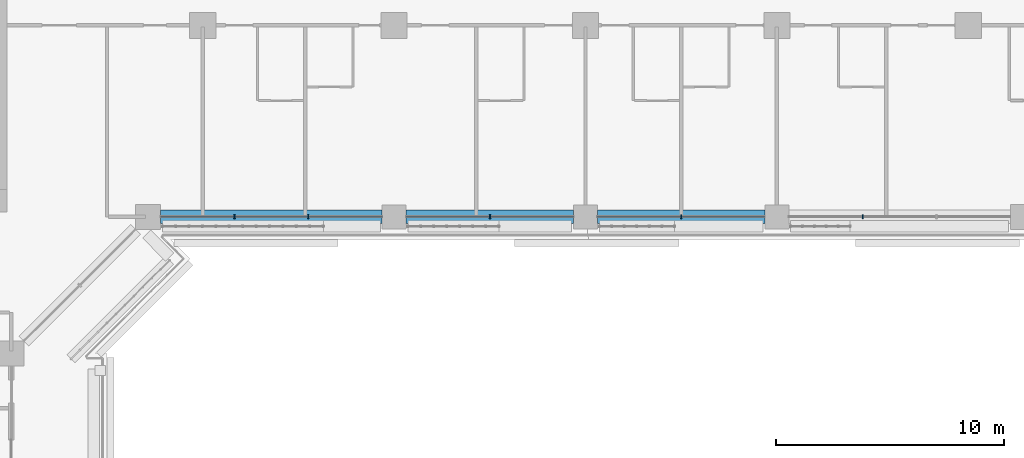
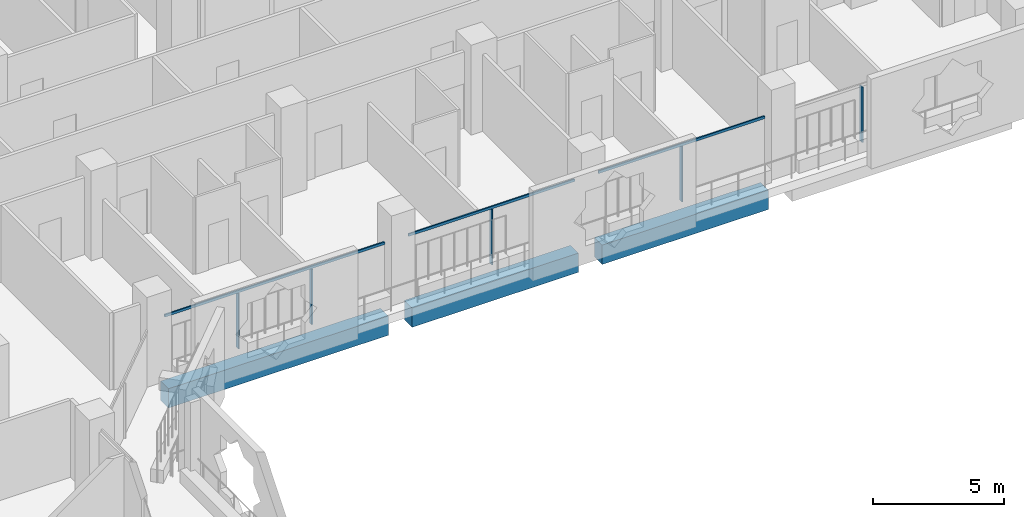
# One storey, part 6 of 25: 8 members, 3 beams, 1 element without a shape of its own.
"""IFC4 building model written with IfcOpenShell, lengths in metres."""

from ifc_helpers import new_model, si_unit, direction, frame, origin, origin_2d, place, context, subcontext, project, spatial, rectangle, extrude, material, layer, layer_set, material_profile, profile_set, type_object, element, aggregate, save


model = new_model("IFC4")

# Units and contexts
model_context = context("Model", 3, precision=1e-05, world=origin(), true_north=direction((0.0, 1.0)))
body_context = subcontext(model_context, "Body", "Model", "MODEL_VIEW")
ifc_project = project(units=[si_unit("LENGTHUNIT", "METRE"), si_unit("AREAUNIT", "SQUARE_METRE"), si_unit("VOLUMEUNIT", "CUBIC_METRE"), si_unit("PLANEANGLEUNIT", "RADIAN"), si_unit("MASSUNIT", "GRAM", prefix="KILO")], contexts=[model_context])

# Site, building, storey
site_placement = place(None, origin())
site = spatial("IfcSite", under=ifc_project, at=site_placement, CompositionType="ELEMENT")
building_placement = place(site_placement, origin())
building = spatial("IfcBuilding", under=site, at=building_placement, Name="Kawkab Arch Medical Tower", CompositionType="ELEMENT")
storey_placement = place(building_placement, frame((0.0, 0.0, 132.39990234375)))
storey = spatial("IfcBuildingStorey", under=building, at=storey_placement, Name="L30", CompositionType="ELEMENT", Elevation=132.39990234375)

# Curtain wall, members
ifc_material_1 = material(Name="Bronze anodised aluminium curtain wall frame", Category="aluminium")
ifc_layer = layer(ifc_material_1, 0.159912109375)
ifc_layer_set = layer_set([ifc_layer], Name="Bronze anodised aluminium curtain wall frame")
curtain_wall_type = type_object("IfcCurtainWallType", Name="CW1 ward curtain wall", PredefinedType="NOTDEFINED", material=ifc_layer_set)
curtain_wall_placement = place(storey_placement, origin())
curtain_wall = element("IfcCurtainWall", 1, at=curtain_wall_placement, inside=storey, type_object=curtain_wall_type, Name="CW1 Ward curtain wall R07", PredefinedType="NOTDEFINED")
ifc_material_2 = material(Name="Bronze anodised aluminium curtain wall frame", Category="aluminium")
ifc_material_profile_1 = material_profile(ifc_material_2, rectangle(XDim=0.179931640625, YDim=0.06005859375, at=origin_2d()), Name="AL 60x180")
ifc_profile_set_1 = profile_set([ifc_material_profile_1], Name="Bronze anodised aluminium curtain wall frame")
member_type_1 = type_object("IfcMemberType", Name="CW1 mullion 60 x 180", PredefinedType="MULLION", material=ifc_profile_set_1)
member_1_placement = place(storey_placement, frame((34.99169921875, -25.199951171875, 0.0), z_axis=(0.0, 0.0, 1.0), x_axis=(0.0, 1.0, 0.0)))
member_1 = element("IfcMember", 2, at=member_1_placement, type_object=member_type_1, Name="CW1 mullion 1.1", PredefinedType="MULLION", context=body_context, shape_type="SweptSolid", body=[
    extrude(rectangle(XDim=0.179931640625, YDim=0.06005859375, at=origin_2d()), origin(), (0.0, 0.0, 1.0), 2.580078125),
])
member_2_placement = place(storey_placement, frame((38.2333984375, -25.199951171875, 0.0), z_axis=(0.0, 0.0, 1.0), x_axis=(0.0, 1.0, 0.0)))
member_2 = element("IfcMember", 3, at=member_2_placement, type_object=member_type_1, Name="CW1 mullion 1.2", PredefinedType="MULLION", context=body_context, shape_type="SweptSolid", body=[
    extrude(rectangle(XDim=0.179931640625, YDim=0.06005859375, at=origin_2d()), origin(), (0.0, 0.0, 1.0), 2.580078125),
])
member_3_placement = place(storey_placement, frame((46.199951171875, -25.199951171875, 0.0), z_axis=(0.0, 0.0, 1.0), x_axis=(0.0, 1.0, 0.0)))
member_3 = element("IfcMember", 4, at=member_3_placement, type_object=member_type_1, Name="CW1 mullion 2.1", PredefinedType="MULLION", context=body_context, shape_type="SweptSolid", body=[
    extrude(rectangle(XDim=0.179931640625, YDim=0.06005859375, at=origin_2d()), origin(), (0.0, 0.0, 1.0), 2.580078125),
])
member_4_placement = place(storey_placement, frame((54.60009765625, -25.199951171875, 0.0), z_axis=(0.0, 0.0, 1.0), x_axis=(0.0, 1.0, 0.0)))
member_4 = element("IfcMember", 5, at=member_4_placement, type_object=member_type_1, Name="CW1 mullion 3.1", PredefinedType="MULLION", context=body_context, shape_type="SweptSolid", body=[
    extrude(rectangle(XDim=0.179931640625, YDim=0.06005859375, at=origin_2d()), origin(), (0.0, 0.0, 1.0), 2.580078125),
])
member_5_placement = place(storey_placement, frame((62.566650390625, -25.199951171875, 0.0), z_axis=(0.0, 0.0, 1.0), x_axis=(0.0, 1.0, 0.0)))
member_5 = element("IfcMember", 6, at=member_5_placement, type_object=member_type_1, Name="CW1 mullion 4.1", PredefinedType="MULLION", context=body_context, shape_type="SweptSolid", body=[
    extrude(rectangle(XDim=0.179931640625, YDim=0.06005859375, at=origin_2d()), origin(), (0.0, 0.0, 1.0), 2.580078125),
])
ifc_material_3 = material(Name="Bronze anodised aluminium curtain wall frame", Category="aluminium")
ifc_material_profile_2 = material_profile(ifc_material_3, rectangle(XDim=0.06005859375, YDim=0.1201171875, at=origin_2d()), Name="AL 60x120")
ifc_profile_set_2 = profile_set([ifc_material_profile_2], Name="Bronze anodised aluminium curtain wall frame")
member_type_2 = type_object("IfcMemberType", Name="CW1 transom 120 x 60", PredefinedType="USERDEFINED", material=ifc_profile_set_2)
member_6_placement = place(storey_placement, frame((31.75, -25.199951171875, 2.64013671875), z_axis=(1.0, 0.0, 0.0), x_axis=(0.0, 1.0, 0.0)))
member_6 = element("IfcMember", 7, at=member_6_placement, type_object=member_type_2, Name="CW1 transom 1", ObjectType="TRANSOM", PredefinedType="USERDEFINED", context=body_context, shape_type="SweptSolid", body=[
    extrude(rectangle(XDim=0.06005859375, YDim=0.1201171875, at=origin_2d()), origin(), (0.0, 0.0, 1.0), 9.72509765625),
])
member_7_placement = place(storey_placement, frame((42.52490234375, -25.199951171875, 2.64013671875), z_axis=(1.0, 0.0, 0.0), x_axis=(0.0, 1.0, 0.0)))
member_7 = element("IfcMember", 8, at=member_7_placement, type_object=member_type_2, Name="CW1 transom 2", ObjectType="TRANSOM", PredefinedType="USERDEFINED", context=body_context, shape_type="SweptSolid", body=[
    extrude(rectangle(XDim=0.06005859375, YDim=0.1201171875, at=origin_2d()), origin(), (0.0, 0.0, 1.0), 7.35009765625),
])
member_8_placement = place(storey_placement, frame((50.925048828125, -25.199951171875, 2.64013671875), z_axis=(1.0, 0.0, 0.0), x_axis=(0.0, 1.0, 0.0)))
member_8 = element("IfcMember", 9, at=member_8_placement, type_object=member_type_2, Name="CW1 transom 3", ObjectType="TRANSOM", PredefinedType="USERDEFINED", context=body_context, shape_type="SweptSolid", body=[
    extrude(rectangle(XDim=0.06005859375, YDim=0.1201171875, at=origin_2d()), origin(), (0.0, 0.0, 1.0), 7.349853515625),
])
aggregate(curtain_wall, [member_6, member_1, member_2, member_7, member_3, member_8, member_4, member_5])

# Beams
ifc_material_4 = material(Name="Concrete C55/67", Category="concrete")
ifc_material_profile_3 = material_profile(ifc_material_4, rectangle(XDim=0.60009765625, YDim=0.89990234375, at=origin_2d()), Name="RC 600x900")
ifc_profile_set_3 = profile_set([ifc_material_profile_3], Name="Concrete C55/67")
beam_type = type_object("IfcBeamType", Name="RC 600x900 beam C55/67", PredefinedType="BEAM", material=ifc_profile_set_3)
beam_1_placement = place(storey_placement, frame((58.27490234375, -25.199951171875, -1.0498046875), z_axis=(-1.0, 0.0, 0.0), x_axis=(0.0, -1.0, 0.0)))
element("IfcBeam", 10, at=beam_1_placement, inside=storey, type_object=beam_type, Name="Overhang edge beam L30-03", PredefinedType="BEAM", context=body_context, shape_type="SweptSolid", body=[
    extrude(rectangle(XDim=0.60009765625, YDim=0.89990234375, at=origin_2d()), origin(), (0.0, 0.0, 1.0), 7.349853515625),
])
beam_2_placement = place(storey_placement, frame((49.875, -25.199951171875, -1.0498046875), z_axis=(-1.0, 0.0, 0.0), x_axis=(0.0, -1.0, 0.0)))
element("IfcBeam", 11, at=beam_2_placement, inside=storey, type_object=beam_type, Name="Overhang edge beam L30-04", PredefinedType="BEAM", context=body_context, shape_type="SweptSolid", body=[
    extrude(rectangle(XDim=0.60009765625, YDim=0.89990234375, at=origin_2d()), origin(), (0.0, 0.0, 1.0), 7.35009765625),
])
beam_3_placement = place(storey_placement, frame((41.47509765625, -25.199951171875, -1.0498046875), z_axis=(-1.0, 0.0, 0.0), x_axis=(0.0, -1.0, 0.0)))
element("IfcBeam", 12, at=beam_3_placement, inside=storey, type_object=beam_type, Name="Overhang edge beam L30-05", PredefinedType="BEAM", context=body_context, shape_type="SweptSolid", body=[
    extrude(rectangle(XDim=0.60009765625, YDim=0.89990234375, at=origin_2d()), origin(), (0.0, 0.0, 1.0), 9.72509765625),
])

save(model, "model.ifc")
